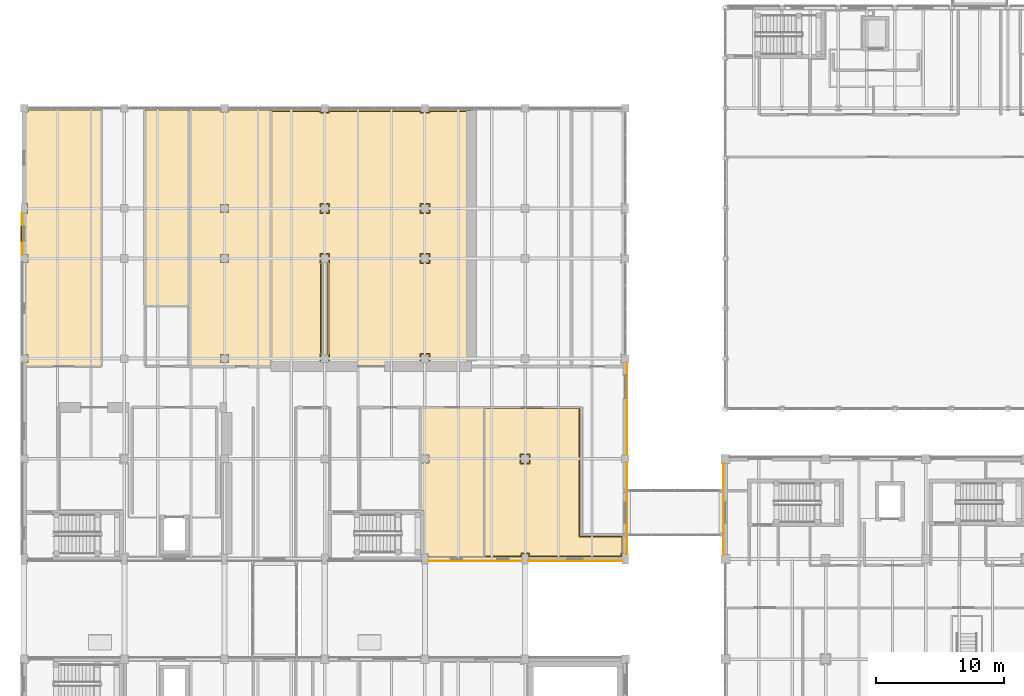
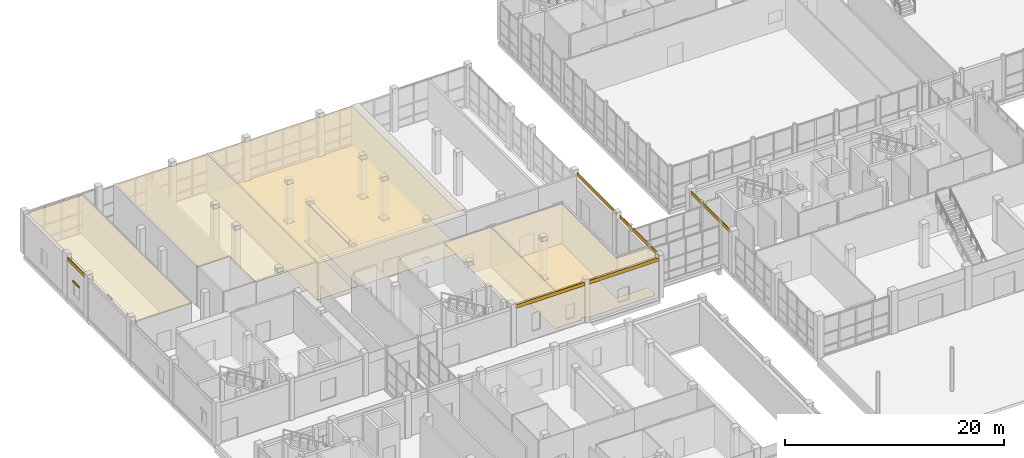
# One storey, part 114 of 131: 15 coverings, 1 shading device.
"""IFC4 building model written with IfcOpenShell, lengths in metres."""

from ifc_helpers import new_model, si_unit, direction, frame, origin, origin_2d, place, context, subcontext, project, spatial, polyline, rectangle, outline, extrude, material, layer, layer_set, type_object, element, save


model = new_model("IFC4")

# Units and contexts
model_context = context("Model", 3, precision=1e-05, world=origin(), true_north=direction((0.0, 1.0)))
body_context = subcontext(model_context, "Body", "Model", "MODEL_VIEW")
ifc_project = project(units=[si_unit("LENGTHUNIT", "METRE"), si_unit("AREAUNIT", "SQUARE_METRE"), si_unit("VOLUMEUNIT", "CUBIC_METRE"), si_unit("PLANEANGLEUNIT", "RADIAN"), si_unit("MASSUNIT", "GRAM", prefix="KILO")], contexts=[model_context])

# Site, building, storey
site_placement = place(None, origin())
site = spatial("IfcSite", under=ifc_project, at=site_placement, CompositionType="ELEMENT")
building_placement = place(site_placement, origin())
building = spatial("IfcBuilding", under=site, at=building_placement, Name="Celorna Specialist Clinic", CompositionType="ELEMENT")
storey_placement = place(building_placement, origin())
storey = spatial("IfcBuildingStorey", under=building, at=storey_placement, Name="L00", CompositionType="ELEMENT", Elevation=0.0)

# Coverings
ifc_material_1 = material(Name="Hygienic acoustic mineral-fibre ceiling")
ifc_layer_1 = layer(ifc_material_1, 0.030029296875, Name="Hygienic acoustic mineral-fibre ceiling")
ifc_layer_set_1 = layer_set([ifc_layer_1], Name="Hygienic acoustic mineral-fibre ceiling")
covering_type_1 = type_object("IfcCoveringType", Name="CE-01", PredefinedType="CEILING", material=ifc_layer_set_1)
covering_1_placement = place(storey_placement, frame((0.0, 0.0, 4.330078125)))
element("IfcCovering", 1, at=covering_1_placement, inside=storey, type_object=covering_type_1, Name="Acoustic ceiling L00-029", PredefinedType="CEILING", context=body_context, shape_type="SweptSolid", body=[
    extrude(outline(polyline([(30.89501953125, 42.60498046875), (30.89501953125, 42.594970703125), (31.5048828125, 42.594970703125), (31.5048828125, 43.205078125), (30.89501953125, 43.205078125), (30.89501953125, 43.195068359375), (30.85498046875, 43.195068359375), (30.85498046875, 46.9150390625), (35.8349609375, 46.9150390625), (35.8349609375, 35.2548828125), (31.455078125, 35.2548828125), (31.455078125, 35.47998046875), (31.125, 35.47998046875), (31.125, 38.864990234375), (30.85498046875, 38.864990234375), (30.85498046875, 42.60498046875), (30.89501953125, 42.60498046875)])), origin(), (0.0, 0.0, 1.0), 0.030029296875),
])
covering_2_placement = place(storey_placement, frame((0.0, 0.0, 4.330078125)))
element("IfcCovering", 2, at=covering_2_placement, inside=storey, type_object=covering_type_1, Name="Acoustic ceiling L00-030", PredefinedType="CEILING", context=body_context, shape_type="SweptSolid", body=[
    extrude(outline(polyline([(35.804931640625, 35.2548828125), (35.804931640625, 46.9150390625), (43.294921875, 46.9150390625), (43.294921875, 36.89501953125), (46.64501953125, 36.89501953125), (46.64501953125, 35.47998046875), (46.544921875, 35.47998046875), (46.544921875, 35.2548828125), (39.2548828125, 35.2548828125), (39.2548828125, 35.47998046875), (38.7451171875, 35.47998046875), (38.7451171875, 35.2548828125), (35.804931640625, 35.2548828125)]), holes=[polyline([(39.304931640625, 42.594970703125), (39.304931640625, 43.205078125), (38.695068359375, 43.205078125), (38.695068359375, 42.594970703125), (39.304931640625, 42.594970703125)])]), origin(), (0.0, 0.0, 1.0), 0.030029296875),
])
covering_3_placement = place(storey_placement, frame((0.0, 0.0, 4.330078125)))
element("IfcCovering", 3, at=covering_3_placement, inside=storey, type_object=covering_type_1, Name="Acoustic ceiling L00-031", PredefinedType="CEILING", context=body_context, shape_type="SweptSolid", body=[
    extrude(outline(polyline([(0.155029296875, 58.195068359375), (0.304931640625, 58.195068359375), (0.304931640625, 58.804931640625), (0.155029296875, 58.804931640625), (0.155029296875, 62.02001953125), (0.2548828125, 62.02001953125), (0.2548828125, 62.780029296875), (0.155029296875, 62.780029296875), (0.155029296875, 69.89501953125), (0.304931640625, 69.89501953125), (0.304931640625, 70.044921875), (6.034912109375, 70.044921875), (6.034912109375, 50.0849609375), (0.155029296875, 50.0849609375), (0.155029296875, 50.39501953125), (0.304931640625, 50.39501953125), (0.304931640625, 51.0048828125), (0.155029296875, 51.0048828125), (0.155029296875, 58.195068359375)])), origin(), (0.0, 0.0, 1.0), 0.030029296875),
])
covering_4_placement = place(storey_placement, frame((0.0, 0.0, 4.330078125)))
element("IfcCovering", 4, at=covering_4_placement, inside=storey, type_object=covering_type_1, Name="Acoustic ceiling L00-033", PredefinedType="CEILING", context=body_context, shape_type="SweptSolid", body=[
    extrude(outline(polyline([(12.804931640625, 54.784912109375), (9.405029296875, 54.784912109375), (9.405029296875, 70.044921875), (15.294921875, 70.044921875), (15.294921875, 69.89501953125), (15.905029296875, 69.89501953125), (15.905029296875, 70.044921875), (19.235107421875, 70.044921875), (19.235107421875, 50.0849609375), (12.804931640625, 50.0849609375), (12.804931640625, 54.784912109375)]), holes=[polyline([(15.905029296875, 51.0048828125), (15.294921875, 51.0048828125), (15.294921875, 50.39501953125), (15.905029296875, 50.39501953125), (15.905029296875, 51.0048828125)]), polyline([(15.905029296875, 58.195068359375), (15.905029296875, 58.804931640625), (15.294921875, 58.804931640625), (15.294921875, 58.195068359375), (15.905029296875, 58.195068359375)]), polyline([(15.905029296875, 62.705078125), (15.294921875, 62.705078125), (15.294921875, 62.094970703125), (15.905029296875, 62.094970703125), (15.905029296875, 62.705078125)])]), origin(), (0.0, 0.0, 1.0), 0.030029296875),
])
covering_5_placement = place(storey_placement, frame((0.0, 0.0, 4.330078125)))
element("IfcCovering", 5, at=covering_5_placement, inside=storey, type_object=covering_type_1, Name="Acoustic ceiling L00-034", PredefinedType="CEILING", context=body_context, shape_type="SweptSolid", body=[
    extrude(outline(polyline([(23.094970703125, 70.044921875), (23.094970703125, 69.89501953125), (23.705078125, 69.89501953125), (23.705078125, 70.044921875), (30.89501953125, 70.044921875), (30.89501953125, 69.89501953125), (31.5048828125, 69.89501953125), (31.5048828125, 70.044921875), (34.8349609375, 70.044921875), (34.8349609375, 50.0849609375), (19.205078125, 50.0849609375), (19.205078125, 70.044921875), (23.094970703125, 70.044921875)]), holes=[polyline([(23.635009765625, 58.195068359375), (23.705078125, 58.195068359375), (23.705078125, 58.804931640625), (23.094970703125, 58.804931640625), (23.094970703125, 58.195068359375), (23.1650390625, 58.195068359375), (23.1650390625, 51.0048828125), (23.094970703125, 51.0048828125), (23.094970703125, 50.39501953125), (23.705078125, 50.39501953125), (23.705078125, 51.0048828125), (23.635009765625, 51.0048828125), (23.635009765625, 58.195068359375)]), polyline([(31.5048828125, 51.0048828125), (30.89501953125, 51.0048828125), (30.89501953125, 50.39501953125), (31.5048828125, 50.39501953125), (31.5048828125, 51.0048828125)]), polyline([(31.5048828125, 58.195068359375), (31.5048828125, 58.804931640625), (30.89501953125, 58.804931640625), (30.89501953125, 58.195068359375), (31.5048828125, 58.195068359375)]), polyline([(31.5048828125, 62.705078125), (30.89501953125, 62.705078125), (30.89501953125, 62.094970703125), (31.5048828125, 62.094970703125), (31.5048828125, 62.705078125)]), polyline([(23.705078125, 62.094970703125), (23.705078125, 62.705078125), (23.094970703125, 62.705078125), (23.094970703125, 62.094970703125), (23.705078125, 62.094970703125)])]), origin(), (0.0, 0.0, 1.0), 0.030029296875),
])
ifc_material_2 = material(Name="Pero Pinheiro Lioz limestone rainscreen cladding", Category="masonry")
ifc_layer_2 = layer(ifc_material_2, 0.044921875, Name="Pero Pinheiro Lioz limestone rainscreen cladding")
ifc_layer_set_2 = layer_set([ifc_layer_2], Name="Pero Pinheiro Lioz limestone rainscreen cladding")
covering_type_2 = type_object("IfcCoveringType", Name="CL-01", PredefinedType="CLADDING", material=ifc_layer_set_2)
for number, where, z_axis, x_axis, name in (
    (6, (35.10009765625, 34.952392578125, 4.06005859375), (0.0, 0.0, 1.0), (-1.0, 0.0, 0.0), "Lioz spandrel cladding #106"),
    (7, (42.89990234375, 34.952392578125, 4.06005859375), (0.0, 0.0, 1.0), (-1.0, 0.0, 0.0), "Lioz spandrel cladding #107"),
):
    element("IfcCovering", number, at=place(storey_placement, frame(where, z_axis=z_axis, x_axis=x_axis)), inside=storey, type_object=covering_type_2, Name=name, PredefinedType="CLADDING", context=body_context, shape_type="SweptSolid", body=[
        extrude(rectangle(XDim=7.300048828125, YDim=0.044921875, at=origin_2d()), origin(), (0.0, 0.0, 1.0), 0.39990234375),
    ])
covering_6_placement = place(storey_placement, frame((-0.1474609375, 60.41259765625, 4.06005859375), z_axis=(0.0, 0.0, 1.0), x_axis=(0.0, 1.0, 0.0)))
element("IfcCovering", 8, at=covering_6_placement, inside=storey, type_object=covering_type_2, Name="Lioz spandrel cladding #111", PredefinedType="CLADDING", context=body_context, shape_type="SweptSolid", body=[
    extrude(rectangle(XDim=3.22509765625, YDim=0.044921875, at=origin_2d()), origin(), (0.0, 0.0, 1.0), 0.39990234375),
])
covering_7_placement = place(storey_placement, frame((46.947509765625, 41.550048828125, 4.06005859375), z_axis=(0.0, 0.0, 1.0), x_axis=(0.0, -1.0, 0.0)))
element("IfcCovering", 9, at=covering_7_placement, inside=storey, type_object=covering_type_2, Name="Lioz spandrel cladding #113", PredefinedType="CLADDING", context=body_context, shape_type="SweptSolid", body=[
    extrude(rectangle(XDim=2.10009765625, YDim=0.044921875, at=origin_2d()), origin(), (0.0, 0.0, 1.0), 0.39990234375),
])
covering_8_placement = place(storey_placement, frame((46.947509765625, 38.699951171875, 4.06005859375), z_axis=(0.0, 0.0, 1.0), x_axis=(0.0, -1.0, 0.0)))
element("IfcCovering", 10, at=covering_8_placement, inside=storey, type_object=covering_type_2, Name="Lioz spandrel cladding #114", PredefinedType="CLADDING", context=body_context, shape_type="SweptSolid", body=[
    extrude(rectangle(XDim=3.199951171875, YDim=0.044921875, at=origin_2d()), origin(), (0.0, 0.0, 1.0), 0.39990234375),
])
covering_9_placement = place(storey_placement, frame((46.947509765625, 36.1875, 4.06005859375), z_axis=(0.0, 0.0, 1.0), x_axis=(0.0, -1.0, 0.0)))
element("IfcCovering", 11, at=covering_9_placement, inside=storey, type_object=covering_type_2, Name="Lioz spandrel cladding #115", PredefinedType="CLADDING", context=body_context, shape_type="SweptSolid", body=[
    extrude(rectangle(XDim=1.425048828125, YDim=0.044921875, at=origin_2d()), origin(), (0.0, 0.0, 1.0), 0.39990234375),
])
covering_10_placement = place(storey_placement, frame((46.947509765625, 46.800048828125, 4.06005859375), z_axis=(0.0, 0.0, 1.0), x_axis=(0.0, -1.0, 0.0)))
element("IfcCovering", 12, at=covering_10_placement, inside=storey, type_object=covering_type_2, Name="Lioz spandrel cladding #116", PredefinedType="CLADDING", context=body_context, shape_type="SweptSolid", body=[
    extrude(rectangle(XDim=7.199951171875, YDim=0.044921875, at=origin_2d()), origin(), (0.0, 0.0, 1.0), 0.39990234375),
])
covering_11_placement = place(storey_placement, frame((54.452392578125, 39.0, 4.14013671875), z_axis=(0.0, 0.0, 1.0), x_axis=(0.0, 1.0, 0.0)))
element("IfcCovering", 13, at=covering_11_placement, inside=storey, type_object=covering_type_2, Name="Lioz spandrel cladding #386", PredefinedType="CLADDING", context=body_context, shape_type="SweptSolid", body=[
    extrude(rectangle(XDim=7.10009765625, YDim=0.044921875, at=origin_2d()), origin(), (0.0, 0.0, 1.0), 0.39990234375),
])
ifc_material_3 = material(Name="Seamless antimicrobial clinical vinyl and Lioz terrazzo flooring")
ifc_layer_3 = layer(ifc_material_3, 0.02001953125, Name="Seamless antimicrobial clinical vinyl and Lioz terrazzo flooring")
ifc_layer_set_3 = layer_set([ifc_layer_3], Name="Seamless antimicrobial clinical vinyl and Lioz terrazzo flooring")
covering_type_3 = type_object("IfcCoveringType", Name="FL-01", PredefinedType="FLOORING", material=ifc_layer_set_3)
covering_12_placement = place(storey_placement, origin())
element("IfcCovering", 14, at=covering_12_placement, inside=storey, type_object=covering_type_3, Name="Antimicrobial clinical flooring L00-030", PredefinedType="FLOORING", context=body_context, shape_type="SweptSolid", body=[
    extrude(outline(polyline([(39.3349609375, 35.344970703125), (39.3349609375, 35.56005859375), (38.6650390625, 35.56005859375), (38.6650390625, 35.344970703125), (35.89501953125, 35.344970703125), (35.89501953125, 46.824951171875), (43.205078125, 46.824951171875), (43.205078125, 36.804931640625), (46.554931640625, 36.804931640625), (46.554931640625, 35.56005859375), (46.465087890625, 35.56005859375), (46.465087890625, 35.344970703125), (39.3349609375, 35.344970703125)]), holes=[polyline([(39.385009765625, 42.514892578125), (39.385009765625, 43.284912109375), (38.614990234375, 43.284912109375), (38.614990234375, 42.514892578125), (39.385009765625, 42.514892578125)])]), origin(), (0.0, 0.0, 1.0), 0.02001953125),
])
covering_13_placement = place(storey_placement, origin())
element("IfcCovering", 15, at=covering_13_placement, inside=storey, type_object=covering_type_3, Name="Antimicrobial clinical flooring L00-034", PredefinedType="FLOORING", context=body_context, shape_type="SweptSolid", body=[
    extrude(outline(polyline([(19.294921875, 69.955078125), (23.014892578125, 69.955078125), (23.014892578125, 69.81494140625), (23.784912109375, 69.81494140625), (23.784912109375, 69.955078125), (30.81494140625, 69.955078125), (30.81494140625, 69.81494140625), (31.5849609375, 69.81494140625), (31.5849609375, 69.955078125), (34.7451171875, 69.955078125), (34.7451171875, 50.175048828125), (19.294921875, 50.175048828125), (19.294921875, 69.955078125)]), holes=[polyline([(31.5849609375, 51.0849609375), (30.81494140625, 51.0849609375), (30.81494140625, 50.31494140625), (31.5849609375, 50.31494140625), (31.5849609375, 51.0849609375)]), polyline([(31.5849609375, 58.114990234375), (31.5849609375, 58.885009765625), (30.81494140625, 58.885009765625), (30.81494140625, 58.114990234375), (31.5849609375, 58.114990234375)]), polyline([(31.5849609375, 62.784912109375), (30.81494140625, 62.784912109375), (30.81494140625, 62.014892578125), (31.5849609375, 62.014892578125), (31.5849609375, 62.784912109375)]), polyline([(23.074951171875, 51.0849609375), (23.014892578125, 51.0849609375), (23.014892578125, 50.31494140625), (23.784912109375, 50.31494140625), (23.784912109375, 51.0849609375), (23.72509765625, 51.0849609375), (23.72509765625, 58.114990234375), (23.784912109375, 58.114990234375), (23.784912109375, 58.885009765625), (23.014892578125, 58.885009765625), (23.014892578125, 58.114990234375), (23.074951171875, 58.114990234375), (23.074951171875, 51.0849609375)]), polyline([(23.784912109375, 62.014892578125), (23.784912109375, 62.784912109375), (23.014892578125, 62.784912109375), (23.014892578125, 62.014892578125), (23.784912109375, 62.014892578125)])]), origin(), (0.0, 0.0, 1.0), 0.02001953125),
])

# Shading device
ifc_material_4 = material(Name="Anodized aluminium solar louvre", Category="aluminium")
ifc_layer_4 = layer(ifc_material_4, 0.080078125, Name="Anodized aluminium solar louvre")
ifc_layer_set_4 = layer_set([ifc_layer_4], Name="Anodized aluminium solar louvre")
shading_device_type = type_object("IfcShadingDeviceType", Name="LV-01", PredefinedType="JALOUSIE", material=ifc_layer_set_4)
shading_device_placement = place(storey_placement, frame((-0.2099609375, 60.41259765625, 2.33984375), z_axis=(0.0, 0.0, 1.0), x_axis=(0.0, 1.0, 0.0)))
element("IfcShadingDevice", 16, at=shading_device_placement, inside=storey, type_object=shading_device_type, Name="External solar louvre LV-01 #26", PredefinedType="JALOUSIE", context=body_context, shape_type="SweptSolid", body=[
    extrude(rectangle(XDim=1.199951171875, YDim=0.080078125, at=origin_2d()), origin(), (0.0, 0.0, 1.0), 0.219970703125),
])

save(model, "model.ifc")
